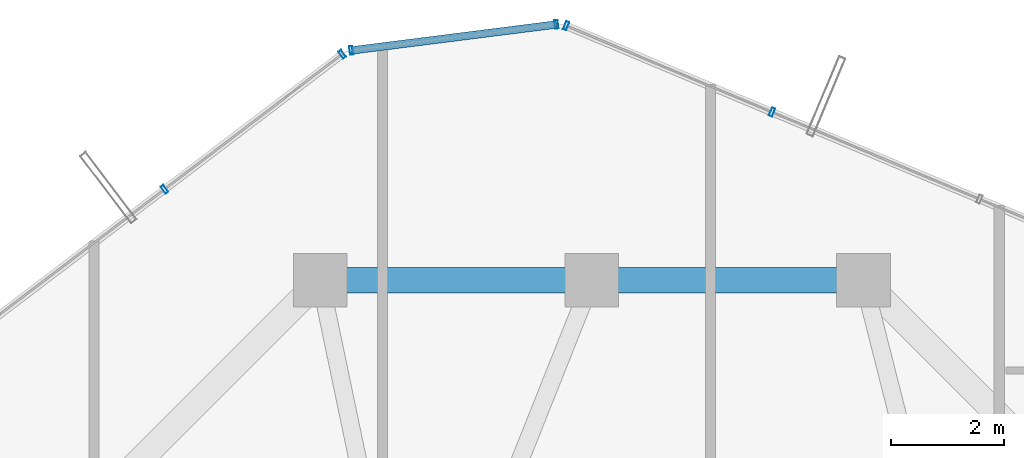
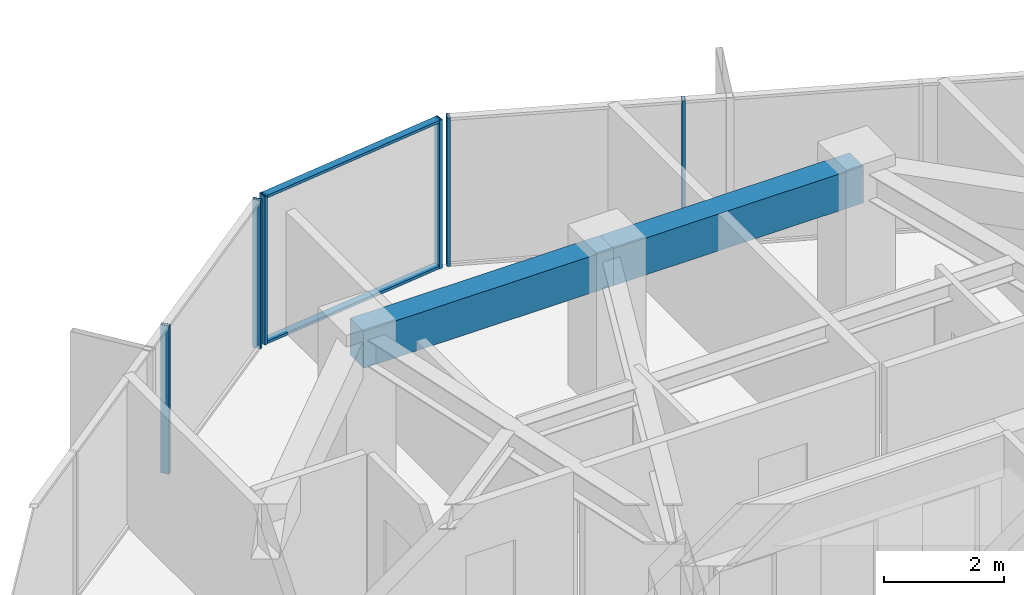
# One storey, part 23 of 32: 8 members, 2 beams, 3 elements without a shape of their own.
"""IFC4 building model written with IfcOpenShell, lengths in metres."""

from ifc_helpers import new_model, si_unit, direction, frame, origin, origin_2d, place, context, subcontext, project, spatial, rectangle, hollow_rectangle, extrude, source, transform, mapped, material, layer, layer_set, material_profile, profile_set, type_object, element, aggregate, save


model = new_model("IFC4")

# Units and contexts
model_context = context("Model", 3, precision=1e-05, world=origin(), true_north=direction((0.0, 1.0)))
body_context = subcontext(model_context, "Body", "Model", "MODEL_VIEW")
ifc_project = project(units=[si_unit("LENGTHUNIT", "METRE"), si_unit("AREAUNIT", "SQUARE_METRE"), si_unit("VOLUMEUNIT", "CUBIC_METRE"), si_unit("PLANEANGLEUNIT", "RADIAN"), si_unit("MASSUNIT", "GRAM", prefix="KILO")], contexts=[model_context])

# Site, building, storey
site_placement = place(None, origin())
site = spatial("IfcSite", under=ifc_project, at=site_placement, CompositionType="ELEMENT")
building_placement = place(site_placement, origin())
building = spatial("IfcBuilding", under=site, at=building_placement, Name="Veraguas Prism Commons", CompositionType="ELEMENT")
storey_placement = place(building_placement, frame((0.0, 0.0, 182.10009765625)))
storey = spatial("IfcBuildingStorey", under=building, at=storey_placement, Name="L51", CompositionType="ELEMENT", Elevation=182.10009765625)

# Beams
ifc_material_1 = material(Name="Concrete C50/60", Category="concrete")
ifc_material_profile_1 = material_profile(ifc_material_1, rectangle(XDim=0.449951171875, YDim=0.75, at=origin_2d()), Name="RC450X750")
ifc_profile_set_1 = profile_set([ifc_material_profile_1], Name="Concrete C50/60")
beam_type = type_object("IfcBeamType", Name="Perimeter Spandrel Upper RC 450x750", PredefinedType="SPANDREL", material=ifc_profile_set_1)
for number, where, z_axis, x_axis, name in (
    (1, (28.800048828125, 38.89990234375, 2.639892578125), (-1.0, 0.0, 0.0), (0.0, -1.0, 0.0), "Perimeter Spandrel Beam L51-SP04"),
    (2, (24.0, 38.89990234375, 2.639892578125), (-1.0, 0.0, 0.0), (0.0, -1.0, 0.0), "Perimeter Spandrel Beam L51-SP05"),
):
    element("IfcBeam", number, at=place(storey_placement, frame(where, z_axis=z_axis, x_axis=x_axis)), inside=storey, type_object=beam_type, Name=name, PredefinedType="SPANDREL", context=body_context, shape_type="SweptSolid", body=[
        extrude(rectangle(XDim=0.449951171875, YDim=0.75, at=origin_2d()), origin(), (0.0, 0.0, 1.0), 4.800048828125),
    ])

# Curtain wall, members
ifc_material_2 = material(Name="Anodised aluminium EN AW-6063 T6", Category="aluminium")
ifc_layer = layer(ifc_material_2, 0.14990234375, Name="Unitised Flush Curtain Wall Zone 3", Category="aluminium")
ifc_layer_set = layer_set([ifc_layer], Name="Anodised aluminium EN AW-6063 T6")
curtain_wall_type = type_object("IfcCurtainWallType", Name="Unitised Flush Curtain Wall Zone 3", PredefinedType="NOTDEFINED", material=ifc_layer_set)
curtain_wall_1_placement = place(storey_placement, origin())
curtain_wall_1 = element("IfcCurtainWall", 3, at=curtain_wall_1_placement, inside=storey, type_object=curtain_wall_type, Name="Tower Facade Curtain Wall L51-F1", PredefinedType="NOTDEFINED")
ifc_material_profile_2 = material_profile(ifc_material_2, hollow_rectangle(XDim=0.06005859375, YDim=0.14990234375, WallThickness=0.0029296875, at=origin_2d()), Name="AL60X150X3")
ifc_profile_set_2 = profile_set([ifc_material_profile_2], Name="Anodised aluminium EN AW-6063 T6")
member_type_1 = type_object("IfcMemberType", Name="Curtain Wall Mullion Upper AL 60x150x3", PredefinedType="MULLION", material=ifc_profile_set_2)
shared_shape_1 = source(origin(), body_context, "Body", "SweptSolid", [
    extrude(hollow_rectangle(XDim=0.06005859375, YDim=0.14990234375, WallThickness=0.0029296875, at=origin_2d()), origin(), (0.0, 0.0, 1.0), 3.014892578125),
])
member_1_placement = place(storey_placement, frame((27.185546875, 41.869140625, 0.0), z_axis=(0.0, 0.0, 1.0), x_axis=(-0.922134139047, 0.386870300752, 0.0)))
member_1 = element("IfcMember", 4, at=member_1_placement, type_object=member_type_1, Name="CW-Z3 Mullion 4", PredefinedType="MULLION", context=body_context, shape_type="MappedRepresentation", body=[
    mapped(shared_shape_1, transform((0.0, 0.0, 0.0), scale=1.0)),
])
member_2_placement = place(storey_placement, frame((23.547119140625, 43.395751953125, 0.0), z_axis=(0.0, 0.0, 1.0), x_axis=(-0.922134139047, 0.386870300752, 0.0)))
member_2 = element("IfcMember", 5, at=member_2_placement, type_object=member_type_1, Name="CW-Z3 Mullion 5", PredefinedType="MULLION", context=body_context, shape_type="MappedRepresentation", body=[
    mapped(shared_shape_1, transform((0.0, 0.0, 0.0), scale=1.0)),
])
aggregate(curtain_wall_1, [member_1, member_2])

curtain_wall_2_placement = place(storey_placement, origin())
curtain_wall_2 = element("IfcCurtainWall", 6, at=curtain_wall_2_placement, inside=storey, type_object=curtain_wall_type, Name="Tower Facade Curtain Wall L51-F2", PredefinedType="NOTDEFINED")
member_3_placement = place(storey_placement, frame((19.588623046875, 42.892822265625, 0.0), z_axis=(0.0, 0.0, 1.0), x_axis=(-0.796104465545, -0.605159218668, 0.0)))
member_3 = element("IfcMember", 7, at=member_3_placement, type_object=member_type_1, Name="CW-Z3 Mullion 1", PredefinedType="MULLION", context=body_context, shape_type="MappedRepresentation", body=[
    mapped(shared_shape_1, transform((0.0, 0.0, 0.0), scale=1.0)),
])
member_4_placement = place(storey_placement, frame((16.447509765625, 40.505126953125, 0.0), z_axis=(0.0, 0.0, 1.0), x_axis=(-0.796104465545, -0.605159218668, 0.0)))
member_4 = element("IfcMember", 8, at=member_4_placement, type_object=member_type_1, Name="CW-Z3 Mullion 2", PredefinedType="MULLION", context=body_context, shape_type="MappedRepresentation", body=[
    mapped(shared_shape_1, transform((0.0, 0.0, 0.0), scale=1.0)),
])
aggregate(curtain_wall_2, [member_3, member_4])

curtain_wall_3_placement = place(storey_placement, origin())
curtain_wall_3 = element("IfcCurtainWall", 9, at=curtain_wall_3_placement, inside=storey, type_object=curtain_wall_type, Name="Chamfer Curtain Wall L51-C2", PredefinedType="NOTDEFINED")
member_5_placement = place(storey_placement, frame((23.375, 43.419189453125, 0.0), z_axis=(0.0, 0.0, 1.0), x_axis=(-0.992030699271, -0.125996395601, 0.0)))
member_5 = element("IfcMember", 10, at=member_5_placement, type_object=member_type_1, Name="CW-Z3 Mullion 1", PredefinedType="MULLION", context=body_context, shape_type="MappedRepresentation", body=[
    mapped(shared_shape_1, transform((0.0, 0.0, 0.0), scale=1.0)),
])
member_6_placement = place(storey_placement, frame((19.749755859375, 42.958740234375, 0.0), z_axis=(0.0, 0.0, 1.0), x_axis=(-0.992030699271, -0.125996395601, 0.0)))
member_6 = element("IfcMember", 11, at=member_6_placement, type_object=member_type_1, Name="CW-Z3 Mullion 2", PredefinedType="MULLION", context=body_context, shape_type="MappedRepresentation", body=[
    mapped(shared_shape_1, transform((0.0, 0.0, 0.0), scale=1.0)),
])
ifc_material_profile_3 = material_profile(ifc_material_2, hollow_rectangle(XDim=0.054931640625, YDim=0.135009765625, WallThickness=0.0029296875, at=origin_2d()), Name="AL55X135X3")
ifc_profile_set_3 = profile_set([ifc_material_profile_3], Name="Anodised aluminium EN AW-6063 T6")
member_type_2 = type_object("IfcMemberType", Name="Curtain Wall Transom Standard AL 55x135x3", PredefinedType="USERDEFINED", material=ifc_profile_set_3)
shared_shape_2 = source(origin(), body_context, "Body", "SweptSolid", [
    extrude(hollow_rectangle(XDim=0.054931640625, YDim=0.135009765625, WallThickness=0.0029296875, at=origin_2d()), origin(), (0.0, 0.0, 1.0), 3.654296875),
])
member_7_placement = place(storey_placement, frame((23.375, 43.419189453125, 0.02734375), z_axis=(-0.992030283265, -0.12599967097, 0.0), x_axis=(0.0, 0.0, 1.0)))
member_7 = element("IfcMember", 12, at=member_7_placement, type_object=member_type_2, Name="CW-Z3 Transom 1", ObjectType="TRANSOM", PredefinedType="USERDEFINED", context=body_context, shape_type="MappedRepresentation", body=[
    mapped(shared_shape_2, transform((0.0, 0.0, 0.0), scale=1.0)),
])
member_8_placement = place(storey_placement, frame((23.375, 43.419189453125, 2.9873046875), z_axis=(-0.992030283265, -0.12599967097, 0.0), x_axis=(0.0, 0.0, 1.0)))
member_8 = element("IfcMember", 13, at=member_8_placement, type_object=member_type_2, Name="CW-Z3 Transom 2", ObjectType="TRANSOM", PredefinedType="USERDEFINED", context=body_context, shape_type="MappedRepresentation", body=[
    mapped(shared_shape_2, transform((0.0, 0.0, 0.0), scale=1.0)),
])
aggregate(curtain_wall_3, [member_5, member_6, member_7, member_8])

save(model, "model.ifc")
